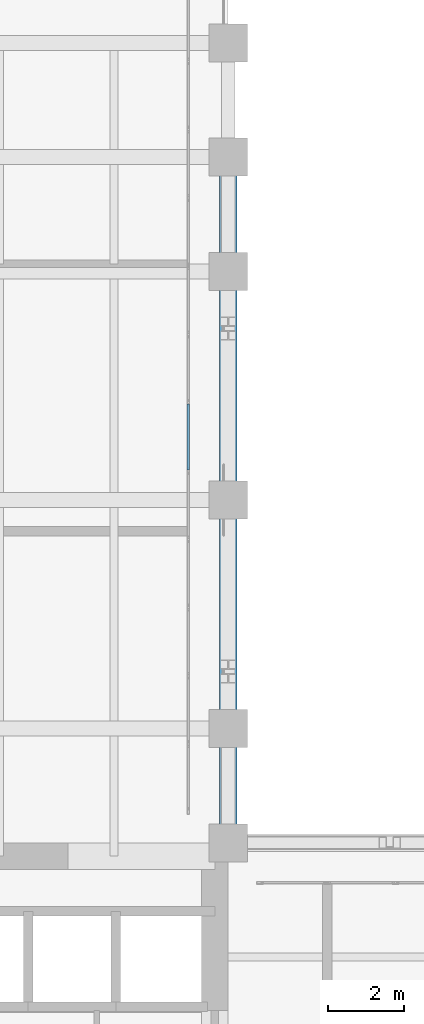
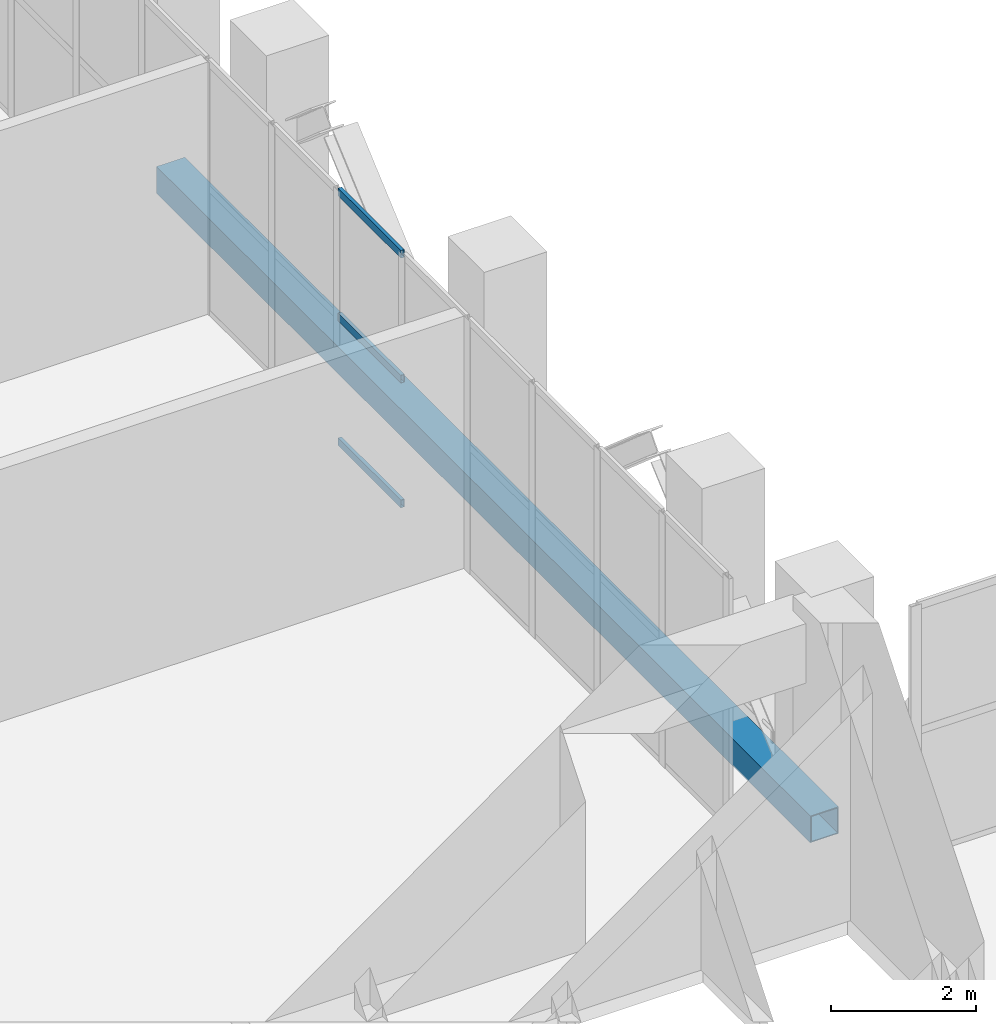
# One storey, part 10 of 27: 4 members, 1 element without a shape of its own.
"""IFC4 building model written with IfcOpenShell, lengths in metres."""

from ifc_helpers import new_model, si_unit, direction, frame, origin, origin_2d, place, context, subcontext, project, spatial, hollow_rectangle, extrude, material, layer, layer_set, material_profile, profile_set, type_object, element, aggregate, save


model = new_model("IFC4")

# Units and contexts
model_context = context("Model", 3, precision=1e-05, world=origin(), true_north=direction((0.0, 1.0)))
body_context = subcontext(model_context, "Body", "Model", "MODEL_VIEW")
ifc_project = project(units=[si_unit("LENGTHUNIT", "METRE"), si_unit("AREAUNIT", "SQUARE_METRE"), si_unit("VOLUMEUNIT", "CUBIC_METRE"), si_unit("PLANEANGLEUNIT", "RADIAN"), si_unit("MASSUNIT", "GRAM", prefix="KILO")], contexts=[model_context])

# Site, building, storey
site_placement = place(None, origin())
site = spatial("IfcSite", under=ifc_project, at=site_placement, CompositionType="ELEMENT")
building_placement = place(site_placement, origin())
building = spatial("IfcBuilding", under=site, at=building_placement, Name="Mawjdan Bourse Tower", CompositionType="ELEMENT")
storey_placement = place(building_placement, frame((0.0, 0.0, 155.699951171875)))
storey = spatial("IfcBuildingStorey", under=building, at=storey_placement, Name="L37", CompositionType="ELEMENT", Elevation=155.699951171875)

# Member
ifc_material_1 = material(Name="Structural Steel S460", Category="steel")
ifc_material_profile_1 = material_profile(ifc_material_1, hollow_rectangle(XDim=0.449951171875, YDim=0.449951171875, WallThickness=0.01611328125, at=origin_2d()), Name="HSS450X450X16")
ifc_profile_set_1 = profile_set([ifc_material_profile_1], Name="Structural Steel S460")
member_type_1 = type_object("IfcMemberType", Name="CHD-HSS450X450X16", PredefinedType="CHORD", material=ifc_profile_set_1)
member_1_placement = place(storey_placement, frame((24.0, 21.0, 0.199951171875), z_axis=(0.0, 1.0, 0.0), x_axis=(-1.0, 0.0, 0.0)))
element("IfcMember", 1, at=member_1_placement, inside=storey, type_object=member_type_1, Name="L37 North Wing Perimeter Belt Truss Bottom Chord", PredefinedType="CHORD", context=body_context, shape_type="SweptSolid", body=[
    extrude(hollow_rectangle(XDim=0.449951171875, YDim=0.449951171875, WallThickness=0.01611328125, at=origin_2d()), origin(), (0.0, 0.0, 1.0), 18.0),
])

# Curtain wall, members
ifc_material_2 = material(Name="Thermally Broken Aluminium and Solar Glass", Category="aluminium")
ifc_layer = layer(ifc_material_2, 0.219970703125)
ifc_layer_set = layer_set([ifc_layer], Name="Thermally Broken Aluminium and Solar Glass")
curtain_wall_type = type_object("IfcCurtainWallType", Name="CW-RFG", PredefinedType="USERDEFINED", material=ifc_layer_set)
curtain_wall_placement = place(storey_placement, origin())
curtain_wall = element("IfcCurtainWall", 2, at=curtain_wall_placement, inside=storey, type_object=curtain_wall_type, Name="L37 Refuge Band North-Wing Louvre Curtain Wall", ObjectType="REFUGE BAND LOUVRE SCREEN", PredefinedType="USERDEFINED")
ifc_material_3 = material(Name="Thermally Broken Anodised Aluminium", Category="aluminium")
ifc_material_profile_2 = material_profile(ifc_material_3, hollow_rectangle(XDim=0.054931640625, YDim=0.1298828125, WallThickness=0.00341796875, at=origin_2d()), Name="ALU-TRN-130X55")
ifc_profile_set_2 = profile_set([ifc_material_profile_2], Name="Thermally Broken Anodised Aluminium")
member_type_2 = type_object("IfcMemberType", Name="TRN-ALU-TRN-130X55", PredefinedType="USERDEFINED", material=ifc_profile_set_2)
member_2_placement = place(storey_placement, frame((22.949951171875, 30.7939453125, 0.027587890625), z_axis=(0.0, 1.0, 0.0), x_axis=(-1.0, 0.0, 0.0)))
member_2 = element("IfcMember", 3, at=member_2_placement, type_object=member_type_2, Name="CW-RFG-L37-RFG-W transom 6.1", ObjectType="TRANSOM", PredefinedType="USERDEFINED", context=body_context, shape_type="SweptSolid", body=[
    extrude(hollow_rectangle(XDim=0.054931640625, YDim=0.1298828125, WallThickness=0.00341796875, at=origin_2d()), origin(), (0.0, 0.0, 1.0), 1.727294921875),
])
member_3_placement = place(storey_placement, frame((22.949951171875, 30.7939453125, 2.125), z_axis=(0.0, 1.0, 0.0), x_axis=(-1.0, 0.0, 0.0)))
member_3 = element("IfcMember", 4, at=member_3_placement, type_object=member_type_2, Name="CW-RFG-L37-RFG-W transom 6.2", ObjectType="TRANSOM", PredefinedType="USERDEFINED", context=body_context, shape_type="SweptSolid", body=[
    extrude(hollow_rectangle(XDim=0.054931640625, YDim=0.1298828125, WallThickness=0.00341796875, at=origin_2d()), origin(), (0.0, 0.0, 1.0), 1.727294921875),
])
member_4_placement = place(storey_placement, frame((22.949951171875, 30.7939453125, 4.22265625), z_axis=(0.0, 1.0, 0.0), x_axis=(-1.0, 0.0, 0.0)))
member_4 = element("IfcMember", 5, at=member_4_placement, type_object=member_type_2, Name="CW-RFG-L37-RFG-W transom 6.3", ObjectType="TRANSOM", PredefinedType="USERDEFINED", context=body_context, shape_type="SweptSolid", body=[
    extrude(hollow_rectangle(XDim=0.054931640625, YDim=0.1298828125, WallThickness=0.00341796875, at=origin_2d()), origin(), (0.0, 0.0, 1.0), 1.727294921875),
])
aggregate(curtain_wall, [member_2, member_3, member_4])

save(model, "model.ifc")
